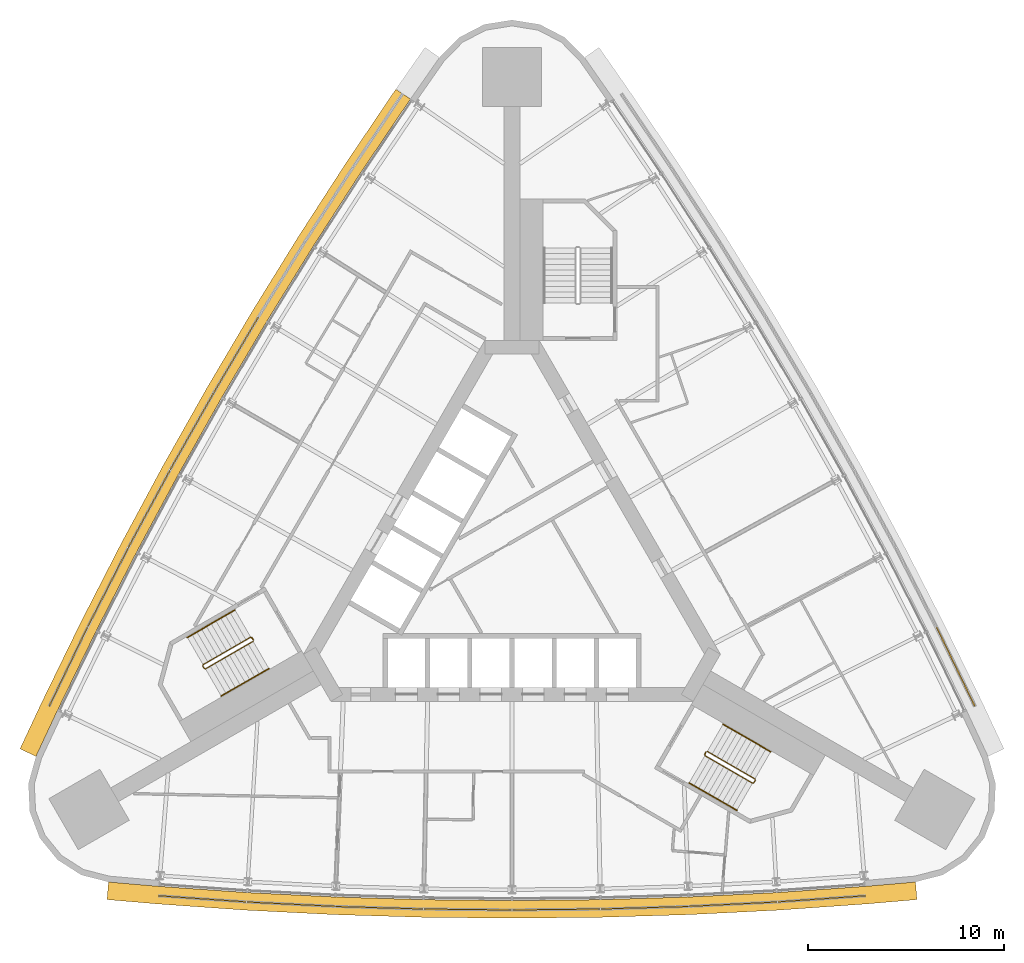
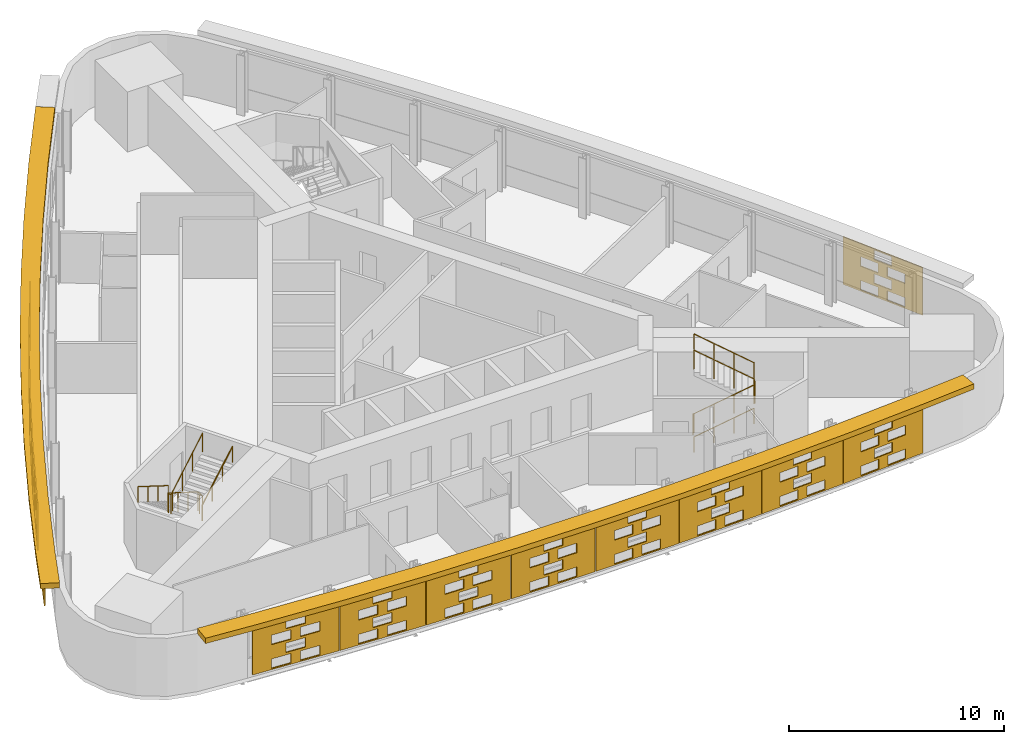
# One storey, part 10 of 11: 16 shading devices, 6 railings.
"""IFC4 building model written with IfcOpenShell, lengths in metres."""

from ifc_helpers import new_model, si_unit, direction, frame, origin, origin_2d, place, context, subcontext, project, spatial, polyline, circle, outline, extrude, material, material_profile, profile_set, type_object, element, save


model = new_model("IFC4")

# Units and contexts
model_context = context("Model", 3, precision=1e-05, world=origin(), true_north=direction((0.0, 1.0)))
body_context = subcontext(model_context, "Body", "Model", "MODEL_VIEW")
ifc_project = project(units=[si_unit("LENGTHUNIT", "METRE"), si_unit("AREAUNIT", "SQUARE_METRE"), si_unit("VOLUMEUNIT", "CUBIC_METRE"), si_unit("PLANEANGLEUNIT", "RADIAN"), si_unit("MASSUNIT", "GRAM", prefix="KILO")], contexts=[model_context])

# Site, building, storey
site_placement = place(None, origin())
site = spatial("IfcSite", under=ifc_project, at=site_placement, CompositionType="ELEMENT")
building_placement = place(site_placement, origin())
building = spatial("IfcBuilding", under=site, at=building_placement, Name="Noor Cloister Tower", CompositionType="ELEMENT")
storey_placement = place(building_placement, frame((0.0, 0.0, 113.10009765625)))
storey = spatial("IfcBuildingStorey", under=building, at=storey_placement, Name="L29", CompositionType="ELEMENT", Elevation=113.10009765625)

# Shading devices
ifc_material_1 = material(Name="Limestone", Category="masonry")
ifc_material_profile = material_profile(ifc_material_1, outline(polyline([(-2.22998046875, -1.35009765625), (2.22998046875, -1.35009765625), (2.22998046875, 1.35009765625), (-2.22998046875, 1.35009765625), (-2.22998046875, -1.35009765625)]), holes=[polyline([(-1.25, -1.282470703125), (-0.25, -1.282470703125), (-0.25, -0.742431640625), (-1.25, -0.742431640625), (-1.25, -1.282470703125)]), polyline([(0.25, -1.282470703125), (1.25, -1.282470703125), (1.25, -0.742431640625), (0.25, -0.742431640625), (0.25, -1.282470703125)]), polyline([(-0.5, -0.607421875), (0.5, -0.607421875), (0.5, -0.0673828125), (-0.5, -0.0673828125), (-0.5, -0.607421875)]), polyline([(-1.25, 0.0673828125), (-0.25, 0.0673828125), (-0.25, 0.607421875), (-1.25, 0.607421875), (-1.25, 0.0673828125)]), polyline([(0.25, 0.0673828125), (1.25, 0.0673828125), (1.25, 0.607421875), (0.25, 0.607421875), (0.25, 0.0673828125)]), polyline([(-0.5, 0.742431640625), (0.5, 0.742431640625), (0.5, 1.282470703125), (-0.5, 1.282470703125), (-0.5, 0.742431640625)])]), Name="Woven screen 28 percent open")
ifc_profile_set = profile_set([ifc_material_profile], Name="Limestone")
shading_device_type_1 = type_object("IfcShadingDeviceType", Name="SCREEN woven limestone 28 percent open", PredefinedType="USERDEFINED", material=ifc_profile_set)
for number, where, z_axis, x_axis, name in (
    (1, (-14.02978515625, 10.703369140625, 1.849853515625), (-0.86141148773, 0.507907716822, 0.0), (-0.507907716822, -0.86141148773, 0.0), "SCREEN L29 4"),
    (2, (-16.2841796875, 6.798583984375, 1.849853515625), (-0.87048706901, 0.492191286683, 0.0), (-0.492191286683, -0.87048706901, 0.0), "SCREEN L29 5"),
):
    element("IfcShadingDevice", number, at=place(storey_placement, frame(where, z_axis=z_axis, x_axis=x_axis)), inside=storey, type_object=shading_device_type_1, Name=name, ObjectType="SCREEN", PredefinedType="USERDEFINED", context=body_context, shape_type="SweptSolid", body=[
        extrude(outline(polyline([(-2.22998046875, -1.35009765625), (2.22998046875, -1.35009765625), (2.22998046875, 1.35009765625), (-2.22998046875, 1.35009765625), (-2.22998046875, -1.35009765625)]), holes=[polyline([(-1.25, -1.282470703125), (-0.25, -1.282470703125), (-0.25, -0.742431640625), (-1.25, -0.742431640625), (-1.25, -1.282470703125)]), polyline([(0.25, -1.282470703125), (1.25, -1.282470703125), (1.25, -0.742431640625), (0.25, -0.742431640625), (0.25, -1.282470703125)]), polyline([(-0.5, -0.607421875), (0.5, -0.607421875), (0.5, -0.0673828125), (-0.5, -0.0673828125), (-0.5, -0.607421875)]), polyline([(-1.25, 0.0673828125), (-0.25, 0.0673828125), (-0.25, 0.607421875), (-1.25, 0.607421875), (-1.25, 0.0673828125)]), polyline([(0.25, 0.0673828125), (1.25, 0.0673828125), (1.25, 0.607421875), (0.25, 0.607421875), (0.25, 0.0673828125)]), polyline([(-0.5, 0.742431640625), (0.5, 0.742431640625), (0.5, 1.282470703125), (-0.5, 1.282470703125), (-0.5, 0.742431640625)])]), origin(), (0.0, 0.0, 1.0), 0.06005859375),
    ])
shading_device_1_placement = place(storey_placement, frame((-18.459716796875, 2.849365234375, 1.849853515625), z_axis=(-0.880210472648, 0.474583526727, 0.0), x_axis=(-0.474583526727, -0.880210472648, 0.0)))
element("IfcShadingDevice", 3, at=shading_device_1_placement, inside=storey, type_object=shading_device_type_1, Name="SCREEN L29 6", ObjectType="SCREEN", PredefinedType="USERDEFINED", context=body_context, shape_type="SweptSolid", body=[
    extrude(outline(polyline([(-2.22998046875, -1.35009765625), (2.22998046875, -1.35009765625), (2.22998046875, 1.35009765625), (-2.22998046875, 1.35009765625), (-2.22998046875, -1.35009765625)]), holes=[polyline([(-1.25, -1.282470703125), (-0.25, -1.282470703125), (-0.25, -0.742431640625), (-1.25, -0.742431640625), (-1.25, -1.282470703125)]), polyline([(0.25, -1.282470703125), (1.25, -1.282470703125), (1.25, -0.742431640625), (0.25, -0.742431640625), (0.25, -1.282470703125)]), polyline([(-0.5, -0.607421875), (0.5, -0.607421875), (0.5, -0.0673828125), (-0.5, -0.0673828125), (-0.5, -0.607421875)]), polyline([(-1.25, 0.0673828125), (-0.25, 0.0673828125), (-0.25, 0.607421875), (-1.25, 0.607421875), (-1.25, 0.0673828125)]), polyline([(0.25, 0.0673828125), (1.25, 0.0673828125), (1.25, 0.607421875), (0.25, 0.607421875), (0.25, 0.0673828125)]), polyline([(-0.5, 0.742431640625), (0.5, 0.742431640625), (0.5, 1.282470703125), (-0.5, 1.282470703125), (-0.5, 0.742431640625)])]), origin(), (0.0, 0.0, 1.0), 0.060302734375),
])
shading_device_2_placement = place(storey_placement, frame((-20.5556640625, -1.142578125, 1.849853515625), z_axis=(-0.88947737876, 0.456979203766, 0.0), x_axis=(-0.456979203766, -0.88947737876, 0.0)))
element("IfcShadingDevice", 4, at=shading_device_2_placement, inside=storey, type_object=shading_device_type_1, Name="SCREEN L29 7", ObjectType="SCREEN", PredefinedType="USERDEFINED", context=body_context, shape_type="SweptSolid", body=[
    extrude(outline(polyline([(-2.22998046875, -1.35009765625), (2.22998046875, -1.35009765625), (2.22998046875, 1.35009765625), (-2.22998046875, 1.35009765625), (-2.22998046875, -1.35009765625)]), holes=[polyline([(-1.25, -1.282470703125), (-0.25, -1.282470703125), (-0.25, -0.742431640625), (-1.25, -0.742431640625), (-1.25, -1.282470703125)]), polyline([(0.25, -1.282470703125), (1.25, -1.282470703125), (1.25, -0.742431640625), (0.25, -0.742431640625), (0.25, -1.282470703125)]), polyline([(-0.5, -0.607421875), (0.5, -0.607421875), (0.5, -0.0673828125), (-0.5, -0.0673828125), (-0.5, -0.607421875)]), polyline([(-1.25, 0.0673828125), (-0.25, 0.0673828125), (-0.25, 0.607421875), (-1.25, 0.607421875), (-1.25, 0.0673828125)]), polyline([(0.25, 0.0673828125), (1.25, 0.0673828125), (1.25, 0.607421875), (0.25, 0.607421875), (0.25, 0.0673828125)]), polyline([(-0.5, 0.742431640625), (0.5, 0.742431640625), (0.5, 1.282470703125), (-0.5, 1.282470703125), (-0.5, 0.742431640625)])]), origin(), (0.0, 0.0, 1.0), 0.059814453125),
])
for number, where, z_axis, x_axis, name in (
    (5, (-22.57080078125, -5.17578125, 1.849853515625), (-0.900056208046, 0.435773820185, 0.0), (-0.435773820185, -0.900056208046, 0.0), "SCREEN L29 8"),
    (6, (-15.767822265625, -16.958984375, 1.849853515625), (-0.069221316626, -0.997601327848, 0.0), (0.997601327848, -0.069221316626, 0.0), "SCREEN L29 1"),
):
    element("IfcShadingDevice", number, at=place(storey_placement, frame(where, z_axis=z_axis, x_axis=x_axis)), inside=storey, type_object=shading_device_type_1, Name=name, ObjectType="SCREEN", PredefinedType="USERDEFINED", context=body_context, shape_type="SweptSolid", body=[
        extrude(outline(polyline([(-2.22998046875, -1.35009765625), (2.22998046875, -1.35009765625), (2.22998046875, 1.35009765625), (-2.22998046875, 1.35009765625), (-2.22998046875, -1.35009765625)]), holes=[polyline([(-1.25, -1.282470703125), (-0.25, -1.282470703125), (-0.25, -0.742431640625), (-1.25, -0.742431640625), (-1.25, -1.282470703125)]), polyline([(0.25, -1.282470703125), (1.25, -1.282470703125), (1.25, -0.742431640625), (0.25, -0.742431640625), (0.25, -1.282470703125)]), polyline([(-0.5, -0.607421875), (0.5, -0.607421875), (0.5, -0.0673828125), (-0.5, -0.0673828125), (-0.5, -0.607421875)]), polyline([(-1.25, 0.0673828125), (-0.25, 0.0673828125), (-0.25, 0.607421875), (-1.25, 0.607421875), (-1.25, 0.0673828125)]), polyline([(0.25, 0.0673828125), (1.25, 0.0673828125), (1.25, 0.607421875), (0.25, 0.607421875), (0.25, 0.0673828125)]), polyline([(-0.5, 0.742431640625), (0.5, 0.742431640625), (0.5, 1.282470703125), (-0.5, 1.282470703125), (-0.5, 0.742431640625)])]), origin(), (0.0, 0.0, 1.0), 0.06005859375),
    ])
shading_device_3_placement = place(storey_placement, frame((-11.267333984375, -17.23046875, 1.849853515625), z_axis=(-0.048920946303, -0.998802653687, 0.0), x_axis=(0.998802653687, -0.048920946303, 0.0)))
element("IfcShadingDevice", 7, at=shading_device_3_placement, inside=storey, type_object=shading_device_type_1, Name="SCREEN L29 2", ObjectType="SCREEN", PredefinedType="USERDEFINED", context=body_context, shape_type="SweptSolid", body=[
    extrude(outline(polyline([(-2.22998046875, -1.35009765625), (2.22998046875, -1.35009765625), (2.22998046875, 1.35009765625), (-2.22998046875, 1.35009765625), (-2.22998046875, -1.35009765625)]), holes=[polyline([(-1.25, -1.282470703125), (-0.25, -1.282470703125), (-0.25, -0.742431640625), (-1.25, -0.742431640625), (-1.25, -1.282470703125)]), polyline([(0.25, -1.282470703125), (1.25, -1.282470703125), (1.25, -0.742431640625), (0.25, -0.742431640625), (0.25, -1.282470703125)]), polyline([(-0.5, -0.607421875), (0.5, -0.607421875), (0.5, -0.0673828125), (-0.5, -0.0673828125), (-0.5, -0.607421875)]), polyline([(-1.25, 0.0673828125), (-0.25, 0.0673828125), (-0.25, 0.607421875), (-1.25, 0.607421875), (-1.25, 0.0673828125)]), polyline([(0.25, 0.0673828125), (1.25, 0.0673828125), (1.25, 0.607421875), (0.25, 0.607421875), (0.25, 0.0673828125)]), polyline([(-0.5, 0.742431640625), (0.5, 0.742431640625), (0.5, 1.282470703125), (-0.5, 1.282470703125), (-0.5, 0.742431640625)])]), origin(), (0.0, 0.0, 1.0), 0.059814453125),
])
shading_device_4_placement = place(storey_placement, frame((-6.76220703125, -17.411376953125, 1.849853515625), z_axis=(-0.028443771376, -0.999595394082, 0.0), x_axis=(0.999595394082, -0.028443771376, 0.0)))
element("IfcShadingDevice", 8, at=shading_device_4_placement, inside=storey, type_object=shading_device_type_1, Name="SCREEN L29 3", ObjectType="SCREEN", PredefinedType="USERDEFINED", context=body_context, shape_type="SweptSolid", body=[
    extrude(outline(polyline([(-2.22998046875, -1.35009765625), (2.22998046875, -1.35009765625), (2.22998046875, 1.35009765625), (-2.22998046875, 1.35009765625), (-2.22998046875, -1.35009765625)]), holes=[polyline([(-1.25, -1.282470703125), (-0.25, -1.282470703125), (-0.25, -0.742431640625), (-1.25, -0.742431640625), (-1.25, -1.282470703125)]), polyline([(0.25, -1.282470703125), (1.25, -1.282470703125), (1.25, -0.742431640625), (0.25, -0.742431640625), (0.25, -1.282470703125)]), polyline([(-0.5, -0.607421875), (0.5, -0.607421875), (0.5, -0.0673828125), (-0.5, -0.0673828125), (-0.5, -0.607421875)]), polyline([(-1.25, 0.0673828125), (-0.25, 0.0673828125), (-0.25, 0.607421875), (-1.25, 0.607421875), (-1.25, 0.0673828125)]), polyline([(0.25, 0.0673828125), (1.25, 0.0673828125), (1.25, 0.607421875), (0.25, 0.607421875), (0.25, 0.0673828125)]), polyline([(-0.5, 0.742431640625), (0.5, 0.742431640625), (0.5, 1.282470703125), (-0.5, 1.282470703125), (-0.5, 0.742431640625)])]), origin(), (0.0, 0.0, 1.0), 0.06005859375),
])
for number, where, z_axis, x_axis, name in (
    (9, (-2.25439453125, -17.501953125, 1.849853515625), (-0.008162993324, -0.999966682215, 0.0), (0.999966682215, -0.008162993324, 0.0), "SCREEN L29 4"),
    (10, (2.25439453125, -17.501953125, 1.849853515625), (0.008162993324, -0.999966682215, 0.0), (0.999966682215, 0.008162993324, 0.0), "SCREEN L29 5"),
):
    element("IfcShadingDevice", number, at=place(storey_placement, frame(where, z_axis=z_axis, x_axis=x_axis)), inside=storey, type_object=shading_device_type_1, Name=name, ObjectType="SCREEN", PredefinedType="USERDEFINED", context=body_context, shape_type="SweptSolid", body=[
        extrude(outline(polyline([(-2.22998046875, -1.35009765625), (2.22998046875, -1.35009765625), (2.22998046875, 1.35009765625), (-2.22998046875, 1.35009765625), (-2.22998046875, -1.35009765625)]), holes=[polyline([(-1.25, -1.282470703125), (-0.25, -1.282470703125), (-0.25, -0.742431640625), (-1.25, -0.742431640625), (-1.25, -1.282470703125)]), polyline([(0.25, -1.282470703125), (1.25, -1.282470703125), (1.25, -0.742431640625), (0.25, -0.742431640625), (0.25, -1.282470703125)]), polyline([(-0.5, -0.607421875), (0.5, -0.607421875), (0.5, -0.0673828125), (-0.5, -0.0673828125), (-0.5, -0.607421875)]), polyline([(-1.25, 0.0673828125), (-0.25, 0.0673828125), (-0.25, 0.607421875), (-1.25, 0.607421875), (-1.25, 0.0673828125)]), polyline([(0.25, 0.0673828125), (1.25, 0.0673828125), (1.25, 0.607421875), (0.25, 0.607421875), (0.25, 0.0673828125)]), polyline([(-0.5, 0.742431640625), (0.5, 0.742431640625), (0.5, 1.282470703125), (-0.5, 1.282470703125), (-0.5, 0.742431640625)])]), origin(), (0.0, 0.0, 1.0), 0.059814453125),
    ])
shading_device_5_placement = place(storey_placement, frame((6.76220703125, -17.411376953125, 1.849853515625), z_axis=(0.028443771376, -0.999595394082, 0.0), x_axis=(0.999595394082, 0.028443771376, 0.0)))
element("IfcShadingDevice", 11, at=shading_device_5_placement, inside=storey, type_object=shading_device_type_1, Name="SCREEN L29 6", ObjectType="SCREEN", PredefinedType="USERDEFINED", context=body_context, shape_type="SweptSolid", body=[
    extrude(outline(polyline([(-2.22998046875, -1.35009765625), (2.22998046875, -1.35009765625), (2.22998046875, 1.35009765625), (-2.22998046875, 1.35009765625), (-2.22998046875, -1.35009765625)]), holes=[polyline([(-1.25, -1.282470703125), (-0.25, -1.282470703125), (-0.25, -0.742431640625), (-1.25, -0.742431640625), (-1.25, -1.282470703125)]), polyline([(0.25, -1.282470703125), (1.25, -1.282470703125), (1.25, -0.742431640625), (0.25, -0.742431640625), (0.25, -1.282470703125)]), polyline([(-0.5, -0.607421875), (0.5, -0.607421875), (0.5, -0.0673828125), (-0.5, -0.0673828125), (-0.5, -0.607421875)]), polyline([(-1.25, 0.0673828125), (-0.25, 0.0673828125), (-0.25, 0.607421875), (-1.25, 0.607421875), (-1.25, 0.0673828125)]), polyline([(0.25, 0.0673828125), (1.25, 0.0673828125), (1.25, 0.607421875), (0.25, 0.607421875), (0.25, 0.0673828125)]), polyline([(-0.5, 0.742431640625), (0.5, 0.742431640625), (0.5, 1.282470703125), (-0.5, 1.282470703125), (-0.5, 0.742431640625)])]), origin(), (0.0, 0.0, 1.0), 0.06005859375),
])
shading_device_6_placement = place(storey_placement, frame((11.267333984375, -17.23046875, 1.849853515625), z_axis=(0.048920946303, -0.998802653687, 0.0), x_axis=(0.998802653687, 0.048920946303, 0.0)))
element("IfcShadingDevice", 12, at=shading_device_6_placement, inside=storey, type_object=shading_device_type_1, Name="SCREEN L29 7", ObjectType="SCREEN", PredefinedType="USERDEFINED", context=body_context, shape_type="SweptSolid", body=[
    extrude(outline(polyline([(-2.22998046875, -1.35009765625), (2.22998046875, -1.35009765625), (2.22998046875, 1.35009765625), (-2.22998046875, 1.35009765625), (-2.22998046875, -1.35009765625)]), holes=[polyline([(-1.25, -1.282470703125), (-0.25, -1.282470703125), (-0.25, -0.742431640625), (-1.25, -0.742431640625), (-1.25, -1.282470703125)]), polyline([(0.25, -1.282470703125), (1.25, -1.282470703125), (1.25, -0.742431640625), (0.25, -0.742431640625), (0.25, -1.282470703125)]), polyline([(-0.5, -0.607421875), (0.5, -0.607421875), (0.5, -0.0673828125), (-0.5, -0.0673828125), (-0.5, -0.607421875)]), polyline([(-1.25, 0.0673828125), (-0.25, 0.0673828125), (-0.25, 0.607421875), (-1.25, 0.607421875), (-1.25, 0.0673828125)]), polyline([(0.25, 0.0673828125), (1.25, 0.0673828125), (1.25, 0.607421875), (0.25, 0.607421875), (0.25, 0.0673828125)]), polyline([(-0.5, 0.742431640625), (0.5, 0.742431640625), (0.5, 1.282470703125), (-0.5, 1.282470703125), (-0.5, 0.742431640625)])]), origin(), (0.0, 0.0, 1.0), 0.059814453125),
])
for number, where, z_axis, x_axis, name in (
    (13, (15.767822265625, -16.958984375, 1.849853515625), (0.069221316626, -0.997601327848, 0.0), (0.997601327848, 0.069221316626, 0.0), "SCREEN L29 8"),
    (14, (22.57080078125, -5.17578125, 1.849853515625), (0.900056208046, 0.435773820185, 0.0), (-0.435773820185, 0.900056208046, 0.0), "SCREEN L29 1"),
):
    element("IfcShadingDevice", number, at=place(storey_placement, frame(where, z_axis=z_axis, x_axis=x_axis)), inside=storey, type_object=shading_device_type_1, Name=name, ObjectType="SCREEN", PredefinedType="USERDEFINED", context=body_context, shape_type="SweptSolid", body=[
        extrude(outline(polyline([(-2.22998046875, -1.35009765625), (2.22998046875, -1.35009765625), (2.22998046875, 1.35009765625), (-2.22998046875, 1.35009765625), (-2.22998046875, -1.35009765625)]), holes=[polyline([(-1.25, -1.282470703125), (-0.25, -1.282470703125), (-0.25, -0.742431640625), (-1.25, -0.742431640625), (-1.25, -1.282470703125)]), polyline([(0.25, -1.282470703125), (1.25, -1.282470703125), (1.25, -0.742431640625), (0.25, -0.742431640625), (0.25, -1.282470703125)]), polyline([(-0.5, -0.607421875), (0.5, -0.607421875), (0.5, -0.0673828125), (-0.5, -0.0673828125), (-0.5, -0.607421875)]), polyline([(-1.25, 0.0673828125), (-0.25, 0.0673828125), (-0.25, 0.607421875), (-1.25, 0.607421875), (-1.25, 0.0673828125)]), polyline([(0.25, 0.0673828125), (1.25, 0.0673828125), (1.25, 0.607421875), (0.25, 0.607421875), (0.25, 0.0673828125)]), polyline([(-0.5, 0.742431640625), (0.5, 0.742431640625), (0.5, 1.282470703125), (-0.5, 1.282470703125), (-0.5, 0.742431640625)])]), origin(), (0.0, 0.0, 1.0), 0.06005859375),
    ])
ifc_material_2 = material(Name="Limestone", Category="masonry")
shading_device_type_2 = type_object("IfcShadingDeviceType", Name="SUNSHADE limestone band 900", PredefinedType="USERDEFINED", material=ifc_material_2)
shading_device_7_placement = place(storey_placement, frame((0.0, 0.0, 3.2998046875)))
element("IfcShadingDevice", 15, at=shading_device_7_placement, inside=storey, type_object=shading_device_type_2, Name="SUNSHADE L29 1", ObjectType="SUNSHADE", PredefinedType="USERDEFINED", context=body_context, shape_type="SweptSolid", body=[
    extrude(outline(polyline([(-5.916748046875, 24.25146484375), (-8.43994140625, 20.514404296875), (-10.892333984375, 16.719970703125), (-13.268310546875, 12.877197265625), (-15.56640625, 8.9873046875), (-17.7861328125, 5.052001953125), (-19.92626953125, 1.0732421875), (-21.986083984375, -2.947998046875), (-23.9638671875, -7.0078125), (-25.059814453125, -9.350830078125), (-24.24462890625, -9.732177734375), (-23.151611328125, -7.395751953125), (-21.180908203125, -3.350341796875), (-19.129150390625, 0.65478515625), (-16.99755859375, 4.617919921875), (-14.786865234375, 8.537353515625), (-12.498046875, 12.41162109375), (-10.131591796875, 16.239013671875), (-7.68896484375, 20.018310546875), (-5.1708984375, 23.747802734375), (-5.916748046875, 24.25146484375)])), origin(), (0.0, 0.0, 1.0), 0.300048828125),
])
shading_device_8_placement = place(storey_placement, frame((0.0, 0.0, 3.2998046875)))
element("IfcShadingDevice", 16, at=shading_device_8_placement, inside=storey, type_object=shading_device_type_2, Name="SUNSHADE L29 2", ObjectType="SUNSHADE", PredefinedType="USERDEFINED", context=body_context, shape_type="SweptSolid", body=[
    extrude(outline(polyline([(-20.6279296875, -17.027099609375), (-18.051025390625, -17.249267578125), (-13.5458984375, -17.56640625), (-9.03369140625, -17.793212890625), (-4.517822265625, -17.92919921875), (0.0, -17.974609375), (4.517822265625, -17.92919921875), (9.03369140625, -17.793212890625), (13.5458984375, -17.56640625), (18.051025390625, -17.249267578125), (20.6279296875, -17.027099609375), (20.550537109375, -16.13037109375), (17.980712890625, -16.35205078125), (13.491943359375, -16.66796875), (8.99755859375, -16.893798828125), (4.499755859375, -17.029296875), (0.0, -17.074462890625), (-4.499755859375, -17.029296875), (-8.99755859375, -16.893798828125), (-13.491943359375, -16.66796875), (-17.980712890625, -16.35205078125), (-20.550537109375, -16.13037109375), (-20.6279296875, -17.027099609375)])), origin(), (0.0, 0.0, 1.0), 0.300048828125),
])

# Railings
ifc_material_3 = material(Name="Stainless steel", Category="steel")
railing_type_1 = type_object("IfcRailingType", Name="Stair guard 1100", PredefinedType="GUARDRAIL", material=ifc_material_3)
railing_1_placement = place(storey_placement, frame((-13.241455078125, -3.677734375, 0.0)))
element("IfcRailing", 17, at=railing_1_placement, inside=storey, type_object=railing_type_1, Name="Stair guard ST2 L29", PredefinedType="GUARDRAIL", context=body_context, shape_type="SweptSolid", body=[
    extrude(circle(Radius=0.02392578125, at=origin_2d()), frame((0.0, 0.0, 1.076171875), z_axis=(0.499112439033, -0.866537231285, 0.0), x_axis=(0.866537231285, 0.499112439033, 0.0)), (0.0, 0.0, 1.0), 0.150146484375),
    extrude(circle(Radius=0.02392578125, at=origin_2d()), frame((0.074951171875, -0.130126953125, 1.076171875), z_axis=(-0.544565797804, 0.563119998752, 0.621565731736), x_axis=(-0.718850276695, -0.695164929852, 0.0)), (0.0, 0.0, 1.0), 0.26318359375),
    extrude(circle(Radius=0.02392578125, at=origin_2d()), frame((-0.068359375, 0.01806640625, 1.23974609375), z_axis=(-0.74771821388, -0.431677027627, 0.504551698492), x_axis=(0.49998411664, -0.866034573852, 0.0)), (0.0, 0.0, 1.0), 3.242919921875),
    extrude(circle(Radius=0.02392578125, at=origin_2d()), frame((-2.4931640625, -1.3818359375, 2.8759765625), z_axis=(-0.258736085224, -0.965948051503, 0.0), x_axis=(0.965948051503, -0.258736085224, 0.0)), (0.0, 0.0, 1.0), 0.07080078125),
    extrude(circle(Radius=0.02392578125, at=origin_2d()), frame((-2.511474609375, -1.4501953125, 2.8759765625), z_axis=(0.499816412211, -0.866131372301, 0.0), x_axis=(0.866131372301, 0.499816412211, 0.0)), (0.0, 0.0, 1.0), 0.14990234375),
    extrude(circle(Radius=0.02392578125, at=origin_2d()), frame((-2.4365234375, -1.580078125, 2.8759765625), z_axis=(0.383070988865, -0.102608300589, 0.918002262601), x_axis=(0.258736085224, 0.965948051503, 0.0)), (0.0, 0.0, 1.0), 0.178466796875),
    extrude(circle(Radius=0.02392578125, at=origin_2d()), frame((-2.3681640625, -1.598388671875, 3.03955078125), z_axis=(0.747693913401, 0.431738279637, 0.504535300807), x_axis=(-0.500049511043, 0.865996816683, 0.0)), (0.0, 0.0, 1.0), 3.2431640625),
    extrude(circle(Radius=0.02099609375, at=origin_2d()), origin(), (0.0, 0.0, 1.0), 1.052001953125),
    extrude(circle(Radius=0.02099609375, at=origin_2d()), frame((0.074951171875, -0.130126953125, 0.0)), (0.0, 0.0, 1.0), 1.052001953125),
    extrude(circle(Radius=0.02099609375, at=origin_2d()), frame((-0.068359375, 0.01806640625, 0.16357421875)), (0.0, 0.0, 1.0), 1.052001953125),
    extrude(circle(Radius=0.02099609375, at=origin_2d()), frame((-0.876708984375, -0.448486328125, 0.708984375)), (0.0, 0.0, 1.0), 1.052001953125),
    extrude(circle(Radius=0.02099609375, at=origin_2d()), frame((-1.684814453125, -0.915283203125, 1.25439453125)), (0.0, 0.0, 1.0), 1.052001953125),
    extrude(circle(Radius=0.02099609375, at=origin_2d()), frame((-2.4931640625, -1.3818359375, 1.7998046875)), (0.0, 0.0, 1.0), 1.052001953125),
    extrude(circle(Radius=0.02099609375, at=origin_2d()), frame((-2.511474609375, -1.4501953125, 1.7998046875)), (0.0, 0.0, 1.0), 1.052001953125),
    extrude(circle(Radius=0.02099609375, at=origin_2d()), frame((-2.4365234375, -1.580078125, 1.7998046875)), (0.0, 0.0, 1.0), 1.052001953125),
    extrude(circle(Radius=0.02099609375, at=origin_2d()), frame((-2.3681640625, -1.598388671875, 1.963623046875)), (0.0, 0.0, 1.0), 1.052001953125),
    extrude(circle(Radius=0.02099609375, at=origin_2d()), frame((-1.559814453125, -1.131591796875, 2.509033203125)), (0.0, 0.0, 1.0), 1.052001953125),
    extrude(circle(Radius=0.02099609375, at=origin_2d()), frame((-0.751708984375, -0.6650390625, 3.054443359375)), (0.0, 0.0, 1.0), 1.052001953125),
    extrude(circle(Radius=0.02099609375, at=origin_2d()), frame((0.056640625, -0.1982421875, 3.599853515625)), (0.0, 0.0, 1.0), 1.052001953125),
])
railing_2_placement = place(storey_placement, frame((9.805908203125, -9.628662109375, 0.0)))
element("IfcRailing", 18, at=railing_2_placement, inside=storey, type_object=railing_type_1, Name="Stair guard ST3 L29", PredefinedType="GUARDRAIL", context=body_context, shape_type="SweptSolid", body=[
    extrude(circle(Radius=0.02392578125, at=origin_2d()), frame((0.0, 0.0, 1.076171875), z_axis=(0.499112439033, 0.866537231285, 0.0), x_axis=(-0.866537231285, 0.499112439033, 0.0)), (0.0, 0.0, 1.0), 0.150146484375),
    extrude(circle(Radius=0.02392578125, at=origin_2d()), frame((0.074951171875, 0.130126953125, 1.076171875), z_axis=(-0.215214839654, -0.753251938789, 0.621525614518), x_axis=(0.961523947641, -0.274721127897, 0.0)), (0.0, 0.0, 1.0), 0.26318359375),
    extrude(circle(Radius=0.02392578125, at=origin_2d()), frame((0.018310546875, -0.068115234375, 1.23974609375), z_axis=(0.747693913401, -0.431738279637, 0.504535300807), x_axis=(0.500049511043, 0.865996816683, 0.0)), (0.0, 0.0, 1.0), 3.2431640625),
    extrude(circle(Radius=0.02392578125, at=origin_2d()), frame((2.443115234375, -1.46826171875, 2.8759765625), z_axis=(0.965948051503, 0.258736085224, 0.0), x_axis=(-0.258736085224, 0.965948051503, 0.0)), (0.0, 0.0, 1.0), 0.07080078125),
    extrude(circle(Radius=0.02392578125, at=origin_2d()), frame((2.511474609375, -1.449951171875, 2.8759765625), z_axis=(0.499816412211, 0.866131372301, 0.0), x_axis=(-0.866131372301, 0.499816412211, 0.0)), (0.0, 0.0, 1.0), 0.14990234375),
    extrude(circle(Radius=0.02392578125, at=origin_2d()), frame((2.58642578125, -1.320068359375, 2.8759765625), z_axis=(-0.102608300589, 0.383070988865, 0.918002262601), x_axis=(-0.965948051503, -0.258736085224, 0.0)), (0.0, 0.0, 1.0), 0.178466796875),
    extrude(circle(Radius=0.02392578125, at=origin_2d()), frame((2.568115234375, -1.251708984375, 3.03955078125), z_axis=(-0.74771821388, 0.431677027627, 0.504551698492), x_axis=(-0.49998411664, -0.866034573852, 0.0)), (0.0, 0.0, 1.0), 3.242919921875),
    extrude(circle(Radius=0.02099609375, at=origin_2d()), origin(), (0.0, 0.0, 1.0), 1.052001953125),
    extrude(circle(Radius=0.02099609375, at=origin_2d()), frame((0.074951171875, 0.130126953125, 0.0)), (0.0, 0.0, 1.0), 1.052001953125),
    extrude(circle(Radius=0.02099609375, at=origin_2d()), frame((0.018310546875, -0.068115234375, 0.16357421875)), (0.0, 0.0, 1.0), 1.052001953125),
    extrude(circle(Radius=0.02099609375, at=origin_2d()), frame((0.82666015625, -0.534912109375, 0.708984375)), (0.0, 0.0, 1.0), 1.052001953125),
    extrude(circle(Radius=0.02099609375, at=origin_2d()), frame((1.634765625, -1.00146484375, 1.25439453125)), (0.0, 0.0, 1.0), 1.052001953125),
    extrude(circle(Radius=0.02099609375, at=origin_2d()), frame((2.443115234375, -1.46826171875, 1.7998046875)), (0.0, 0.0, 1.0), 1.052001953125),
    extrude(circle(Radius=0.02099609375, at=origin_2d()), frame((2.511474609375, -1.449951171875, 1.7998046875)), (0.0, 0.0, 1.0), 1.052001953125),
    extrude(circle(Radius=0.02099609375, at=origin_2d()), frame((2.58642578125, -1.320068359375, 1.7998046875)), (0.0, 0.0, 1.0), 1.052001953125),
    extrude(circle(Radius=0.02099609375, at=origin_2d()), frame((2.568115234375, -1.251708984375, 1.963623046875)), (0.0, 0.0, 1.0), 1.052001953125),
    extrude(circle(Radius=0.02099609375, at=origin_2d()), frame((1.759765625, -0.78515625, 2.509033203125)), (0.0, 0.0, 1.0), 1.052001953125),
    extrude(circle(Radius=0.02099609375, at=origin_2d()), frame((0.95166015625, -0.318359375, 3.054443359375)), (0.0, 0.0, 1.0), 1.052001953125),
    extrude(circle(Radius=0.02099609375, at=origin_2d()), frame((0.143310546875, 0.148193359375, 3.599853515625)), (0.0, 0.0, 1.0), 1.052001953125),
])
ifc_material_4 = material(Name="Stainless steel", Category="steel")
railing_type_2 = type_object("IfcRailingType", Name="Stair handrail 900", PredefinedType="HANDRAIL", material=ifc_material_4)
railing_3_placement = place(storey_placement, frame((-14.10986328125, -2.27392578125, 0.16357421875)))
element("IfcRailing", 19, at=railing_3_placement, inside=storey, type_object=railing_type_2, Name="Stair handrail ST2 L29 1", PredefinedType="HANDRAIL", context=body_context, shape_type="SweptSolid", body=[
    extrude(circle(Radius=0.02392578125, at=origin_2d()), frame((0.0, 0.0, 0.8759765625), z_axis=(-0.74771821388, -0.431677027627, 0.504551698492), x_axis=(0.49998411664, -0.866034573852, 0.0)), (0.0, 0.0, 1.0), 3.242919921875),
    extrude(circle(Radius=0.02099609375, at=origin_2d()), origin(), (0.0, 0.0, 1.0), 0.851806640625),
    extrude(circle(Radius=0.02099609375, at=origin_2d()), frame((-0.808349609375, -0.466552734375, 0.54541015625)), (0.0, 0.0, 1.0), 0.851806640625),
    extrude(circle(Radius=0.02099609375, at=origin_2d()), frame((-1.616455078125, -0.933349609375, 1.0908203125)), (0.0, 0.0, 1.0), 0.851806640625),
    extrude(circle(Radius=0.02099609375, at=origin_2d()), frame((-2.4248046875, -1.39990234375, 1.63623046875)), (0.0, 0.0, 1.0), 0.851806640625),
])
railing_4_placement = place(storey_placement, frame((-14.8095703125, -6.66162109375, 1.963623046875)))
element("IfcRailing", 20, at=railing_4_placement, inside=storey, type_object=railing_type_2, Name="Stair handrail ST2 L29 2", PredefinedType="HANDRAIL", context=body_context, shape_type="SweptSolid", body=[
    extrude(circle(Radius=0.02392578125, at=origin_2d()), frame((0.0, 0.0, 0.8759765625), z_axis=(0.74771821388, 0.431677027627, 0.504551698492), x_axis=(-0.49998411664, 0.866034573852, 0.0)), (0.0, 0.0, 1.0), 3.242919921875),
    extrude(circle(Radius=0.02099609375, at=origin_2d()), origin(), (0.0, 0.0, 1.0), 0.851806640625),
    extrude(circle(Radius=0.02099609375, at=origin_2d()), frame((0.808349609375, 0.466552734375, 0.54541015625)), (0.0, 0.0, 1.0), 0.851806640625),
    extrude(circle(Radius=0.02099609375, at=origin_2d()), frame((1.616455078125, 0.933349609375, 1.0908203125)), (0.0, 0.0, 1.0), 0.851806640625),
    extrude(circle(Radius=0.02099609375, at=origin_2d()), frame((2.4248046875, 1.39990234375, 1.63623046875)), (0.0, 0.0, 1.0), 0.851806640625),
])
railing_5_placement = place(storey_placement, frame((9.024169921875, -11.08251953125, 0.16357421875)))
element("IfcRailing", 21, at=railing_5_placement, inside=storey, type_object=railing_type_2, Name="Stair handrail ST3 L29 1", PredefinedType="HANDRAIL", context=body_context, shape_type="SweptSolid", body=[
    extrude(circle(Radius=0.02392578125, at=origin_2d()), frame((0.0, 0.0, 0.8759765625), z_axis=(0.74771821388, -0.431677027627, 0.504551698492), x_axis=(0.49998411664, 0.866034573852, 0.0)), (0.0, 0.0, 1.0), 3.242919921875),
    extrude(circle(Radius=0.02099609375, at=origin_2d()), origin(), (0.0, 0.0, 1.0), 0.851806640625),
    extrude(circle(Radius=0.02099609375, at=origin_2d()), frame((0.808349609375, -0.466552734375, 0.54541015625)), (0.0, 0.0, 1.0), 0.851806640625),
    extrude(circle(Radius=0.02099609375, at=origin_2d()), frame((1.616455078125, -0.933349609375, 1.0908203125)), (0.0, 0.0, 1.0), 0.851806640625),
    extrude(circle(Radius=0.02099609375, at=origin_2d()), frame((2.4248046875, -1.39990234375, 1.63623046875)), (0.0, 0.0, 1.0), 0.851806640625),
])
railing_6_placement = place(storey_placement, frame((13.174072265625, -9.49462890625, 1.963623046875)))
element("IfcRailing", 22, at=railing_6_placement, inside=storey, type_object=railing_type_2, Name="Stair handrail ST3 L29 2", PredefinedType="HANDRAIL", context=body_context, shape_type="SweptSolid", body=[
    extrude(circle(Radius=0.02392578125, at=origin_2d()), frame((0.0, 0.0, 0.8759765625), z_axis=(-0.74771821388, 0.431677027627, 0.504551698492), x_axis=(-0.49998411664, -0.866034573852, 0.0)), (0.0, 0.0, 1.0), 3.242919921875),
    extrude(circle(Radius=0.02099609375, at=origin_2d()), origin(), (0.0, 0.0, 1.0), 0.851806640625),
    extrude(circle(Radius=0.02099609375, at=origin_2d()), frame((-0.808349609375, 0.466552734375, 0.54541015625)), (0.0, 0.0, 1.0), 0.851806640625),
    extrude(circle(Radius=0.02099609375, at=origin_2d()), frame((-1.616455078125, 0.933349609375, 1.0908203125)), (0.0, 0.0, 1.0), 0.851806640625),
    extrude(circle(Radius=0.02099609375, at=origin_2d()), frame((-2.4248046875, 1.39990234375, 1.63623046875)), (0.0, 0.0, 1.0), 0.851806640625),
])

save(model, "model.ifc")
